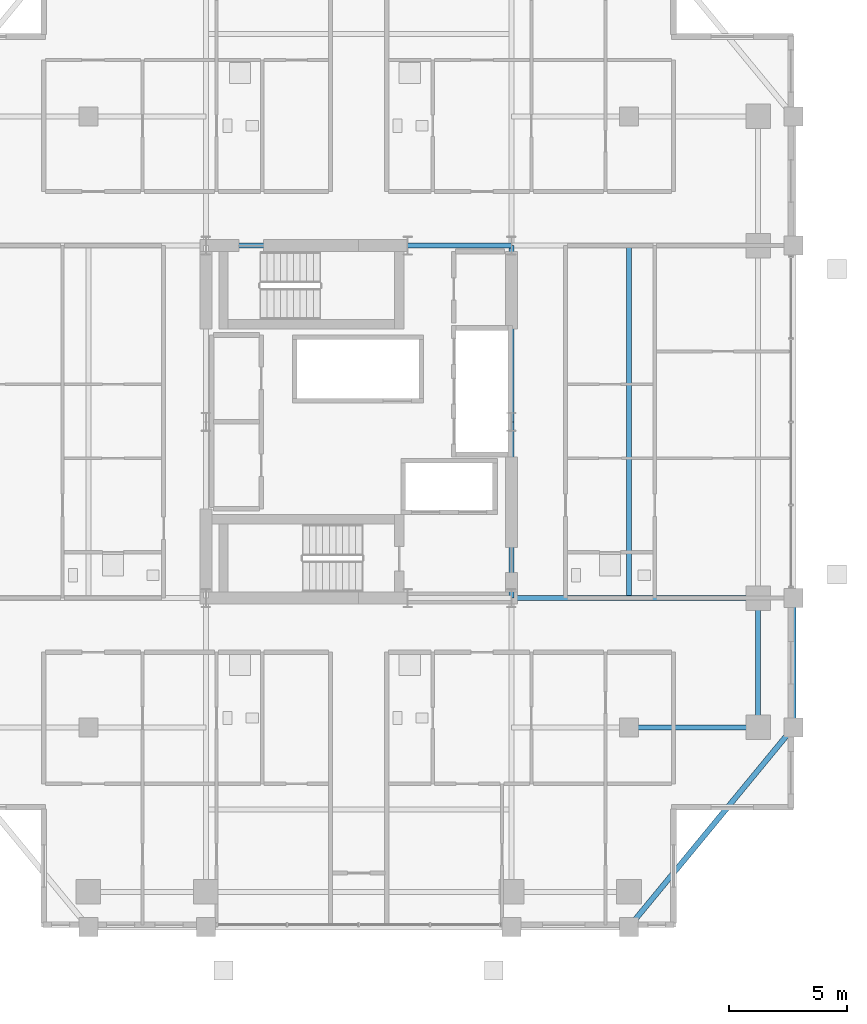
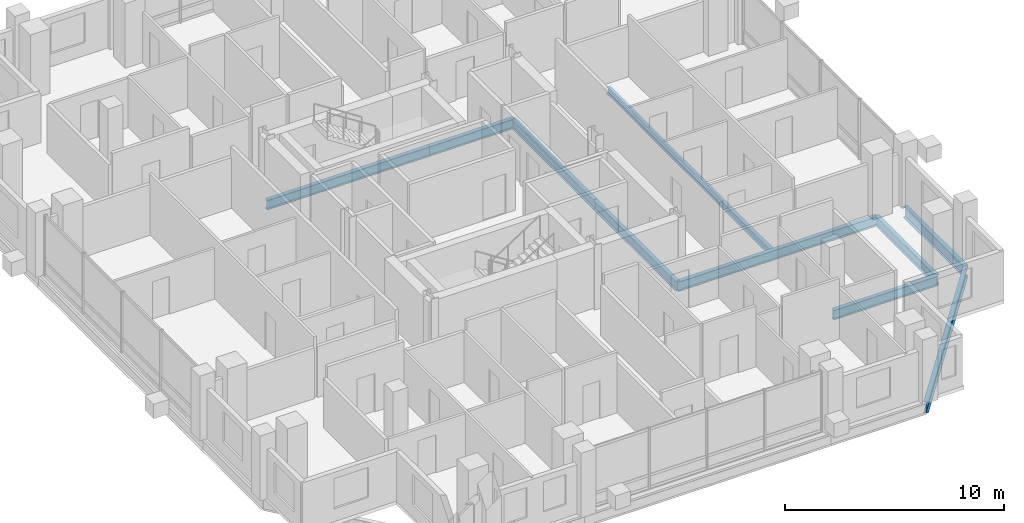
# One storey, part 9 of 24: 10 beams.
"""IFC4 building model written with IfcOpenShell, lengths in metres."""

from ifc_helpers import new_model, si_unit, direction, frame, origin, origin_2d, place, context, subcontext, project, spatial, i_section, extrude, material, material_profile, profile_set, type_object, element, save


model = new_model("IFC4")

# Units and contexts
model_context = context("Model", 3, precision=1e-05, world=origin(), true_north=direction((0.0, 1.0)))
body_context = subcontext(model_context, "Body", "Model", "MODEL_VIEW")
ifc_project = project(units=[si_unit("LENGTHUNIT", "METRE"), si_unit("AREAUNIT", "SQUARE_METRE"), si_unit("VOLUMEUNIT", "CUBIC_METRE"), si_unit("PLANEANGLEUNIT", "RADIAN"), si_unit("MASSUNIT", "GRAM", prefix="KILO")], contexts=[model_context])

# Site, building, storey
site_placement = place(None, origin())
site = spatial("IfcSite", under=ifc_project, at=site_placement, CompositionType="ELEMENT")
building_placement = place(site_placement, origin())
building = spatial("IfcBuilding", under=site, at=building_placement, Name="Barlavira Tower and Art Museum", CompositionType="ELEMENT")
storey_placement = place(building_placement, frame((0.0, 0.0, 169.199951171875)))
storey = spatial("IfcBuildingStorey", under=building, at=storey_placement, Name="L43", CompositionType="ELEMENT", Elevation=169.199951171875)

# Beams
ifc_material = material(Name="Steel S355", Category="steel")
ifc_material_profile_1 = material_profile(ifc_material, i_section(OverallWidth=0.22998046875, OverallDepth=0.616943359375, WebThickness=0.01318359375, FlangeThickness=0.022216796875, at=origin_2d()), Name="W610x140.0")
ifc_profile_set_1 = profile_set([ifc_material_profile_1], Name="Steel S355")
beam_type_1 = type_object("IfcBeamType", Name="Upper Shaft Spandrel Edge Beam W610x140 Steel S355", PredefinedType="SPANDREL", material=ifc_profile_set_1)
beam_1_placement = place(storey_placement, frame((11.5, -21.5, -0.528564453125), z_axis=(0.635707252861, 0.771930235617, 0.0), x_axis=(-0.771930235617, 0.635707252861, 0.0)))
element("IfcBeam", 1, at=beam_1_placement, inside=storey, type_object=beam_type_1, Name="L43 Spandrel 4", PredefinedType="SPANDREL", context=body_context, shape_type="SweptSolid", body=[
    extrude(i_section(OverallWidth=0.22998046875, OverallDepth=0.616943359375, WebThickness=0.01318359375, FlangeThickness=0.022216796875, at=origin_2d()), origin(), (0.0, 0.0, 1.0), 11.011474609375),
])
beam_2_placement = place(storey_placement, frame((18.5, -13.0, -0.528564453125), z_axis=(0.0, 1.0, 0.0), x_axis=(-1.0, 0.0, 0.0)))
element("IfcBeam", 2, at=beam_2_placement, inside=storey, type_object=beam_type_1, Name="L43 Spandrel 5", PredefinedType="SPANDREL", context=body_context, shape_type="SweptSolid", body=[
    extrude(i_section(OverallWidth=0.22998046875, OverallDepth=0.616943359375, WebThickness=0.01318359375, FlangeThickness=0.022216796875, at=origin_2d()), origin(), (0.0, 0.0, 1.0), 5.5),
])
ifc_material_profile_2 = material_profile(ifc_material, i_section(OverallWidth=0.205078125, OverallDepth=0.35400390625, WebThickness=0.009521484375, FlangeThickness=0.016845703125, at=origin_2d()), Name="W360x79.0")
ifc_profile_set_2 = profile_set([ifc_material_profile_2], Name="Steel S355")
beam_type_2 = type_object("IfcBeamType", Name="Zone 3 Composite Floor Joist W360x79 Steel S355", PredefinedType="JOIST", material=ifc_profile_set_2)
beam_3_placement = place(storey_placement, frame((11.5, -7.5, -0.39697265625), z_axis=(0.0, 1.0, 0.0), x_axis=(-1.0, 0.0, 0.0)))
element("IfcBeam", 3, at=beam_3_placement, inside=storey, type_object=beam_type_2, Name="L43 Joist W2", PredefinedType="JOIST", context=body_context, shape_type="SweptSolid", body=[
    extrude(i_section(OverallWidth=0.205078125, OverallDepth=0.35400390625, WebThickness=0.009521484375, FlangeThickness=0.016845703125, at=origin_2d()), origin(), (0.0, 0.0, 1.0), 15.0),
])
ifc_material_profile_3 = material_profile(ifc_material, i_section(OverallWidth=0.2109375, OverallDepth=0.5390625, WebThickness=0.01171875, FlangeThickness=0.018798828125, at=origin_2d()), Name="W530x109.0")
ifc_profile_set_3 = profile_set([ifc_material_profile_3], Name="Steel S355")
beam_type_3 = type_object("IfcBeamType", Name="Zone 3-4 Primary Floor Girder W530x109 Steel S355", PredefinedType="BEAM", material=ifc_profile_set_3)
beam_4_placement = place(storey_placement, frame((-6.5, 7.5, -0.489501953125), z_axis=(1.0, 0.0, 0.0), x_axis=(0.0, 1.0, 0.0)))
element("IfcBeam", 4, at=beam_4_placement, inside=storey, type_object=beam_type_3, Name="L43 Girder C-N1", PredefinedType="BEAM", context=body_context, shape_type="SweptSolid", body=[
    extrude(i_section(OverallWidth=0.2109375, OverallDepth=0.5390625, WebThickness=0.01171875, FlangeThickness=0.018798828125, at=origin_2d()), origin(), (0.0, 0.0, 1.0), 8.580078125),
])
beam_5_placement = place(storey_placement, frame((2.080078125, 7.5, -0.489501953125), z_axis=(1.0, 0.0, 0.0), x_axis=(0.0, 1.0, 0.0)))
element("IfcBeam", 5, at=beam_5_placement, inside=storey, type_object=beam_type_3, Name="L43 Girder C-N2", PredefinedType="BEAM", context=body_context, shape_type="SweptSolid", body=[
    extrude(i_section(OverallWidth=0.2109375, OverallDepth=0.5390625, WebThickness=0.01171875, FlangeThickness=0.018798828125, at=origin_2d()), origin(), (0.0, 0.0, 1.0), 4.419921875),
])
for number, where, z_axis, x_axis, name in (
    (6, (6.5, -7.5, -0.489501953125), (0.0, 1.0, 0.0), (-1.0, 0.0, 0.0), "L43 Girder C-E1"),
    (7, (6.5, 0.0, -0.489501953125), (0.0, 1.0, 0.0), (-1.0, 0.0, 0.0), "L43 Girder C-E2"),
):
    element("IfcBeam", number, at=place(storey_placement, frame(where, z_axis=z_axis, x_axis=x_axis)), inside=storey, type_object=beam_type_3, Name=name, PredefinedType="BEAM", context=body_context, shape_type="SweptSolid", body=[
        extrude(i_section(OverallWidth=0.2109375, OverallDepth=0.5390625, WebThickness=0.01171875, FlangeThickness=0.018798828125, at=origin_2d()), origin(), (0.0, 0.0, 1.0), 7.5),
    ])
beam_6_placement = place(storey_placement, frame((17.0, -13.0, -0.489501953125), z_axis=(0.0, 1.0, 0.0), x_axis=(-1.0, 0.0, 0.0)))
element("IfcBeam", 8, at=beam_6_placement, inside=storey, type_object=beam_type_3, Name="L43 Girder M-E1", PredefinedType="BEAM", context=body_context, shape_type="SweptSolid", body=[
    extrude(i_section(OverallWidth=0.2109375, OverallDepth=0.5390625, WebThickness=0.01171875, FlangeThickness=0.018798828125, at=origin_2d()), origin(), (0.0, 0.0, 1.0), 5.5),
])
beam_7_placement = place(storey_placement, frame((6.5, -7.5, -0.489501953125), z_axis=(1.0, 0.0, 0.0), x_axis=(0.0, 1.0, 0.0)))
element("IfcBeam", 9, at=beam_7_placement, inside=storey, type_object=beam_type_3, Name="L43 Girder R-E1", PredefinedType="BEAM", context=body_context, shape_type="SweptSolid", body=[
    extrude(i_section(OverallWidth=0.2109375, OverallDepth=0.5390625, WebThickness=0.01171875, FlangeThickness=0.018798828125, at=origin_2d()), origin(), (0.0, 0.0, 1.0), 10.5),
])
beam_8_placement = place(storey_placement, frame((11.5, -13.0, -0.489501953125), z_axis=(1.0, 0.0, 0.0), x_axis=(0.0, 1.0, 0.0)))
element("IfcBeam", 10, at=beam_8_placement, inside=storey, type_object=beam_type_3, Name="L43 Girder I-S4", PredefinedType="BEAM", context=body_context, shape_type="SweptSolid", body=[
    extrude(i_section(OverallWidth=0.2109375, OverallDepth=0.5390625, WebThickness=0.01171875, FlangeThickness=0.018798828125, at=origin_2d()), origin(), (0.0, 0.0, 1.0), 5.5),
])

save(model, "model.ifc")
